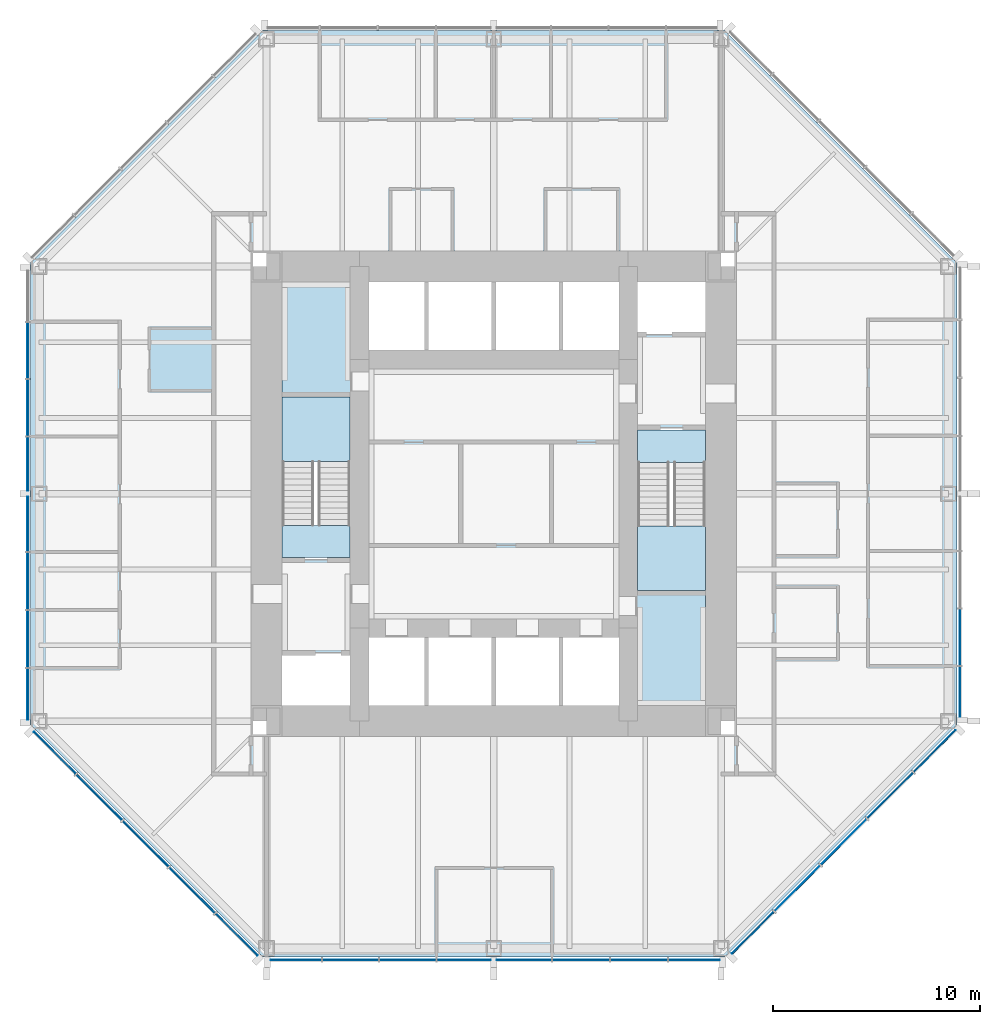
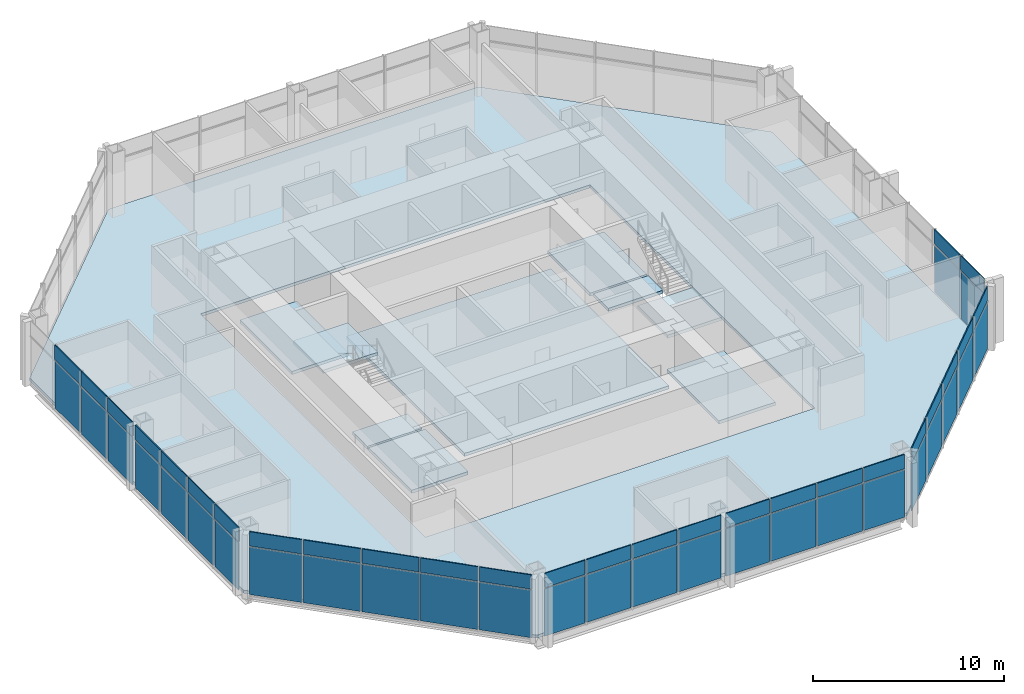
# One storey, part 7 of 12: 54 plates, 10 slabs, 7 elements without a shape of their own.
"""IFC4 building model written with IfcOpenShell, lengths in metres."""

from ifc_helpers import new_model, si_unit, direction, frame, origin, origin_2d, place, context, subcontext, project, spatial, polyline, rectangle, outline, extrude, material, layer, layer_set, type_object, element, aggregate, save


model = new_model("IFC4")

# Units and contexts
model_context = context("Model", 3, precision=1e-05, world=origin(), true_north=direction((0.0, 1.0)))
body_context = subcontext(model_context, "Body", "Model", "MODEL_VIEW")
ifc_project = project(units=[si_unit("LENGTHUNIT", "METRE"), si_unit("AREAUNIT", "SQUARE_METRE"), si_unit("VOLUMEUNIT", "CUBIC_METRE"), si_unit("PLANEANGLEUNIT", "RADIAN"), si_unit("MASSUNIT", "GRAM", prefix="KILO")], contexts=[model_context])

# Site, building, storey
site_placement = place(None, origin())
site = spatial("IfcSite", under=ifc_project, at=site_placement, CompositionType="ELEMENT")
building_placement = place(site_placement, origin())
building = spatial("IfcBuilding", under=site, at=building_placement, Name="Trevanion Tower", CompositionType="ELEMENT")
storey_placement = place(building_placement, frame((0.0, 0.0, 129.5)))
storey = spatial("IfcBuildingStorey", under=building, at=storey_placement, Name="L30", CompositionType="ELEMENT", Elevation=129.5)

# Curtain wall, plates
ifc_material_1 = material(Name="Aluminium and glass", Category="aluminium")
curtain_wall_type = type_object("IfcCurtainWallType", Name="CW2 curtain wall", PredefinedType="USERDEFINED", material=ifc_material_1)
curtain_wall_1_placement = place(storey_placement, origin())
curtain_wall_1 = element("IfcCurtainWall", 1, at=curtain_wall_1_placement, inside=storey, type_object=curtain_wall_type, Name="CW2 L30 0", ObjectType="UNITISED CURTAIN WALL", PredefinedType="USERDEFINED")
ifc_material_2 = material(Name="Aluminium spandrel panel", Category="aluminium")
ifc_layer_1 = layer(ifc_material_2, 0.06005859375)
ifc_layer_set_1 = layer_set([ifc_layer_1], Name="CW2 spandrel panel")
plate_type_1 = type_object("IfcPlateType", Name="CW2 spandrel panel", PredefinedType="CURTAIN_PANEL", material=ifc_layer_set_1)
plate_1_placement = place(storey_placement, frame((22.550048828125, -9.579345703125, 2.99755859375), z_axis=(0.0, 0.0, 1.0), x_axis=(0.0, 1.0, 0.0)))
plate_1 = element("IfcPlate", 2, at=plate_1_placement, type_object=plate_type_1, Name="CW2 panel 1.2", PredefinedType="CURTAIN_PANEL", context=body_context, shape_type="SweptSolid", body=[
    extrude(rectangle(XDim=2.43701171875, YDim=0.06005859375, at=origin_2d()), origin(), (0.0, 0.0, 1.0), 0.91259765625),
])
plate_2_placement = place(storey_placement, frame((22.550048828125, -6.93603515625, 2.99755859375), z_axis=(0.0, 0.0, 1.0), x_axis=(0.0, 1.0, 0.0)))
plate_2 = element("IfcPlate", 3, at=plate_2_placement, type_object=plate_type_1, Name="CW2 panel 2.2", PredefinedType="CURTAIN_PANEL", context=body_context, shape_type="SweptSolid", body=[
    extrude(rectangle(XDim=2.699462890625, YDim=0.06005859375, at=origin_2d()), origin(), (0.0, 0.0, 1.0), 0.91259765625),
])

curtain_wall_2_placement = place(storey_placement, origin())
curtain_wall_2 = element("IfcCurtainWall", 4, at=curtain_wall_2_placement, inside=storey, type_object=curtain_wall_type, Name="CW2 L30 4", ObjectType="UNITISED CURTAIN WALL", PredefinedType="USERDEFINED")
plate_3_placement = place(storey_placement, frame((-22.550048828125, 6.93603515625, 2.99755859375), z_axis=(0.0, 0.0, 1.0), x_axis=(0.0, -1.0, 0.0)))
plate_3 = element("IfcPlate", 5, at=plate_3_placement, type_object=plate_type_1, Name="CW2 panel 2.2", PredefinedType="CURTAIN_PANEL", context=body_context, shape_type="SweptSolid", body=[
    extrude(rectangle(XDim=2.699462890625, YDim=0.06005859375, at=origin_2d()), origin(), (0.0, 0.0, 1.0), 0.91259765625),
])
plate_4_placement = place(storey_placement, frame((-22.550048828125, 4.16162109375, 2.99755859375), z_axis=(0.0, 0.0, 1.0), x_axis=(0.0, -1.0, 0.0)))
plate_4 = element("IfcPlate", 6, at=plate_4_placement, type_object=plate_type_1, Name="CW2 panel 3.2", PredefinedType="CURTAIN_PANEL", context=body_context, shape_type="SweptSolid", body=[
    extrude(rectangle(XDim=2.699462890625, YDim=0.06005859375, at=origin_2d()), origin(), (0.0, 0.0, 1.0), 0.91259765625),
])
plate_5_placement = place(storey_placement, frame((-22.550048828125, 1.443603515625, 2.99755859375), z_axis=(0.0, 0.0, 1.0), x_axis=(0.0, -1.0, 0.0)))
plate_5 = element("IfcPlate", 7, at=plate_5_placement, type_object=plate_type_1, Name="CW2 panel 4.2", PredefinedType="CURTAIN_PANEL", context=body_context, shape_type="SweptSolid", body=[
    extrude(rectangle(XDim=2.5869140625, YDim=0.06005859375, at=origin_2d()), origin(), (0.0, 0.0, 1.0), 0.91259765625),
])
plate_6_placement = place(storey_placement, frame((-22.550048828125, -1.459716796875, 2.99755859375), z_axis=(0.0, 0.0, 1.0), x_axis=(0.0, -1.0, 0.0)))
plate_6 = element("IfcPlate", 8, at=plate_6_placement, type_object=plate_type_1, Name="CW2 panel 5.2", PredefinedType="CURTAIN_PANEL", context=body_context, shape_type="SweptSolid", body=[
    extrude(rectangle(XDim=2.619384765625, YDim=0.06005859375, at=origin_2d()), origin(), (0.0, 0.0, 1.0), 0.91259765625),
])
plate_7_placement = place(storey_placement, frame((-22.550048828125, -4.21044921875, 2.99755859375), z_axis=(0.0, 0.0, 1.0), x_axis=(0.0, -1.0, 0.0)))
plate_7 = element("IfcPlate", 9, at=plate_7_placement, type_object=plate_type_1, Name="CW2 panel 6.2", PredefinedType="CURTAIN_PANEL", context=body_context, shape_type="SweptSolid", body=[
    extrude(rectangle(XDim=2.73193359375, YDim=0.06005859375, at=origin_2d()), origin(), (0.0, 0.0, 1.0), 0.91259765625),
])
plate_8_placement = place(storey_placement, frame((-22.550048828125, -7.017333984375, 2.99755859375), z_axis=(0.0, 0.0, 1.0), x_axis=(0.0, -1.0, 0.0)))
plate_8 = element("IfcPlate", 10, at=plate_8_placement, type_object=plate_type_1, Name="CW2 panel 7.2", PredefinedType="CURTAIN_PANEL", context=body_context, shape_type="SweptSolid", body=[
    extrude(rectangle(XDim=2.73193359375, YDim=0.06005859375, at=origin_2d()), origin(), (0.0, 0.0, 1.0), 0.91259765625),
])
plate_9_placement = place(storey_placement, frame((-22.550048828125, -9.693115234375, 2.99755859375), z_axis=(0.0, 0.0, 1.0), x_axis=(0.0, -1.0, 0.0)))
plate_9 = element("IfcPlate", 11, at=plate_9_placement, type_object=plate_type_1, Name="CW2 panel 8.2", PredefinedType="CURTAIN_PANEL", context=body_context, shape_type="SweptSolid", body=[
    extrude(rectangle(XDim=2.469482421875, YDim=0.06005859375, at=origin_2d()), origin(), (0.0, 0.0, 1.0), 0.91259765625),
])

curtain_wall_3_placement = place(storey_placement, origin())
curtain_wall_3 = element("IfcCurtainWall", 12, at=curtain_wall_3_placement, inside=storey, type_object=curtain_wall_type, Name="CW2 L30 5", ObjectType="UNITISED CURTAIN WALL", PredefinedType="USERDEFINED")
plate_10_placement = place(storey_placement, frame((-21.2421875, -12.53564453125, 2.99755859375), z_axis=(0.0, 0.0, 1.0), x_axis=(0.707106781187, -0.707106781187, 0.0)))
plate_10 = element("IfcPlate", 13, at=plate_10_placement, type_object=plate_type_1, Name="CW2 panel 1.2", PredefinedType="CURTAIN_PANEL", context=body_context, shape_type="SweptSolid", body=[
    extrude(rectangle(XDim=2.8388671875, YDim=0.06005859375, at=origin_2d()), origin(), (0.0, 0.0, 1.0), 0.91259765625),
])
plate_11_placement = place(storey_placement, frame((-19.089111328125, -14.688720703125, 2.99755859375), z_axis=(0.0, 0.0, 1.0), x_axis=(0.707106781187, -0.707106781187, 0.0)))
plate_11 = element("IfcPlate", 14, at=plate_11_placement, type_object=plate_type_1, Name="CW2 panel 2.2", PredefinedType="CURTAIN_PANEL", context=body_context, shape_type="SweptSolid", body=[
    extrude(rectangle(XDim=3.101318359375, YDim=0.06005859375, at=origin_2d()), origin(), (0.0, 0.0, 1.0), 0.91259765625),
])
plate_12_placement = place(storey_placement, frame((-16.843017578125, -16.934814453125, 2.99755859375), z_axis=(0.0, 0.0, 1.0), x_axis=(0.707106781187, -0.707106781187, 0.0)))
plate_12 = element("IfcPlate", 15, at=plate_12_placement, type_object=plate_type_1, Name="CW2 panel 3.2", PredefinedType="CURTAIN_PANEL", context=body_context, shape_type="SweptSolid", body=[
    extrude(rectangle(XDim=3.101318359375, YDim=0.06005859375, at=origin_2d()), origin(), (0.0, 0.0, 1.0), 0.91259765625),
])
plate_13_placement = place(storey_placement, frame((-14.596923828125, -19.180908203125, 2.99755859375), z_axis=(0.0, 0.0, 1.0), x_axis=(0.707106781187, -0.707106781187, 0.0)))
plate_13 = element("IfcPlate", 16, at=plate_13_placement, type_object=plate_type_1, Name="CW2 panel 4.2", PredefinedType="CURTAIN_PANEL", context=body_context, shape_type="SweptSolid", body=[
    extrude(rectangle(XDim=3.101318359375, YDim=0.06005859375, at=origin_2d()), origin(), (0.0, 0.0, 1.0), 0.91259765625),
])
plate_14_placement = place(storey_placement, frame((-12.443603515625, -21.334228515625, 2.99755859375), z_axis=(0.0, 0.0, 1.0), x_axis=(0.707106781187, -0.707106781187, 0.0)))
plate_14 = element("IfcPlate", 17, at=plate_14_placement, type_object=plate_type_1, Name="CW2 panel 5.2", PredefinedType="CURTAIN_PANEL", context=body_context, shape_type="SweptSolid", body=[
    extrude(rectangle(XDim=2.8388671875, YDim=0.06005859375, at=origin_2d()), origin(), (0.0, 0.0, 1.0), 0.91259765625),
])

curtain_wall_4_placement = place(storey_placement, origin())
curtain_wall_4 = element("IfcCurtainWall", 18, at=curtain_wall_4_placement, inside=storey, type_object=curtain_wall_type, Name="CW2 L30 6", ObjectType="UNITISED CURTAIN WALL", PredefinedType="USERDEFINED")
plate_15_placement = place(storey_placement, frame((-9.579345703125, -22.550048828125, 2.99755859375), z_axis=(0.0, 0.0, 1.0), x_axis=(1.0, 0.0, 0.0)))
plate_15 = element("IfcPlate", 19, at=plate_15_placement, type_object=plate_type_1, Name="CW2 panel 1.2", PredefinedType="CURTAIN_PANEL", context=body_context, shape_type="SweptSolid", body=[
    extrude(rectangle(XDim=2.43701171875, YDim=0.06005859375, at=origin_2d()), origin(), (0.0, 0.0, 1.0), 0.91259765625),
])
plate_16_placement = place(storey_placement, frame((-6.93603515625, -22.550048828125, 2.99755859375), z_axis=(0.0, 0.0, 1.0), x_axis=(1.0, 0.0, 0.0)))
plate_16 = element("IfcPlate", 20, at=plate_16_placement, type_object=plate_type_1, Name="CW2 panel 2.2", PredefinedType="CURTAIN_PANEL", context=body_context, shape_type="SweptSolid", body=[
    extrude(rectangle(XDim=2.699462890625, YDim=0.06005859375, at=origin_2d()), origin(), (0.0, 0.0, 1.0), 0.91259765625),
])
plate_17_placement = place(storey_placement, frame((-4.16162109375, -22.550048828125, 2.99755859375), z_axis=(0.0, 0.0, 1.0), x_axis=(1.0, 0.0, 0.0)))
plate_17 = element("IfcPlate", 21, at=plate_17_placement, type_object=plate_type_1, Name="CW2 panel 3.2", PredefinedType="CURTAIN_PANEL", context=body_context, shape_type="SweptSolid", body=[
    extrude(rectangle(XDim=2.699462890625, YDim=0.06005859375, at=origin_2d()), origin(), (0.0, 0.0, 1.0), 0.91259765625),
])
plate_18_placement = place(storey_placement, frame((-1.443603515625, -22.550048828125, 2.99755859375), z_axis=(0.0, 0.0, 1.0), x_axis=(1.0, 0.0, 0.0)))
plate_18 = element("IfcPlate", 22, at=plate_18_placement, type_object=plate_type_1, Name="CW2 panel 4.2", PredefinedType="CURTAIN_PANEL", context=body_context, shape_type="SweptSolid", body=[
    extrude(rectangle(XDim=2.5869140625, YDim=0.06005859375, at=origin_2d()), origin(), (0.0, 0.0, 1.0), 0.91259765625),
])
plate_19_placement = place(storey_placement, frame((1.459716796875, -22.550048828125, 2.99755859375), z_axis=(0.0, 0.0, 1.0), x_axis=(1.0, 0.0, 0.0)))
plate_19 = element("IfcPlate", 23, at=plate_19_placement, type_object=plate_type_1, Name="CW2 panel 5.2", PredefinedType="CURTAIN_PANEL", context=body_context, shape_type="SweptSolid", body=[
    extrude(rectangle(XDim=2.619384765625, YDim=0.06005859375, at=origin_2d()), origin(), (0.0, 0.0, 1.0), 0.91259765625),
])
plate_20_placement = place(storey_placement, frame((4.21044921875, -22.550048828125, 2.99755859375), z_axis=(0.0, 0.0, 1.0), x_axis=(1.0, 0.0, 0.0)))
plate_20 = element("IfcPlate", 24, at=plate_20_placement, type_object=plate_type_1, Name="CW2 panel 6.2", PredefinedType="CURTAIN_PANEL", context=body_context, shape_type="SweptSolid", body=[
    extrude(rectangle(XDim=2.73193359375, YDim=0.06005859375, at=origin_2d()), origin(), (0.0, 0.0, 1.0), 0.91259765625),
])
plate_21_placement = place(storey_placement, frame((7.017333984375, -22.550048828125, 2.99755859375), z_axis=(0.0, 0.0, 1.0), x_axis=(1.0, 0.0, 0.0)))
plate_21 = element("IfcPlate", 25, at=plate_21_placement, type_object=plate_type_1, Name="CW2 panel 7.2", PredefinedType="CURTAIN_PANEL", context=body_context, shape_type="SweptSolid", body=[
    extrude(rectangle(XDim=2.73193359375, YDim=0.06005859375, at=origin_2d()), origin(), (0.0, 0.0, 1.0), 0.91259765625),
])
plate_22_placement = place(storey_placement, frame((9.693115234375, -22.550048828125, 2.99755859375), z_axis=(0.0, 0.0, 1.0), x_axis=(1.0, 0.0, 0.0)))
plate_22 = element("IfcPlate", 26, at=plate_22_placement, type_object=plate_type_1, Name="CW2 panel 8.2", PredefinedType="CURTAIN_PANEL", context=body_context, shape_type="SweptSolid", body=[
    extrude(rectangle(XDim=2.469482421875, YDim=0.06005859375, at=origin_2d()), origin(), (0.0, 0.0, 1.0), 0.91259765625),
])

curtain_wall_5_placement = place(storey_placement, origin())
curtain_wall_5 = element("IfcCurtainWall", 27, at=curtain_wall_5_placement, inside=storey, type_object=curtain_wall_type, Name="CW2 L30 7", ObjectType="UNITISED CURTAIN WALL", PredefinedType="USERDEFINED")
plate_23_placement = place(storey_placement, frame((12.53564453125, -21.2421875, 2.99755859375), z_axis=(0.0, 0.0, 1.0), x_axis=(0.707106781187, 0.707106781187, 0.0)))
plate_23 = element("IfcPlate", 28, at=plate_23_placement, type_object=plate_type_1, Name="CW2 panel 1.2", PredefinedType="CURTAIN_PANEL", context=body_context, shape_type="SweptSolid", body=[
    extrude(rectangle(XDim=2.8388671875, YDim=0.06005859375, at=origin_2d()), origin(), (0.0, 0.0, 1.0), 0.91259765625),
])
plate_24_placement = place(storey_placement, frame((14.688720703125, -19.089111328125, 2.99755859375), z_axis=(0.0, 0.0, 1.0), x_axis=(0.707106781187, 0.707106781187, 0.0)))
plate_24 = element("IfcPlate", 29, at=plate_24_placement, type_object=plate_type_1, Name="CW2 panel 2.2", PredefinedType="CURTAIN_PANEL", context=body_context, shape_type="SweptSolid", body=[
    extrude(rectangle(XDim=3.101318359375, YDim=0.06005859375, at=origin_2d()), origin(), (0.0, 0.0, 1.0), 0.91259765625),
])
plate_25_placement = place(storey_placement, frame((16.934814453125, -16.843017578125, 2.99755859375), z_axis=(0.0, 0.0, 1.0), x_axis=(0.707106781187, 0.707106781187, 0.0)))
plate_25 = element("IfcPlate", 30, at=plate_25_placement, type_object=plate_type_1, Name="CW2 panel 3.2", PredefinedType="CURTAIN_PANEL", context=body_context, shape_type="SweptSolid", body=[
    extrude(rectangle(XDim=3.101318359375, YDim=0.06005859375, at=origin_2d()), origin(), (0.0, 0.0, 1.0), 0.91259765625),
])
plate_26_placement = place(storey_placement, frame((19.180908203125, -14.596923828125, 2.99755859375), z_axis=(0.0, 0.0, 1.0), x_axis=(0.707106781187, 0.707106781187, 0.0)))
plate_26 = element("IfcPlate", 31, at=plate_26_placement, type_object=plate_type_1, Name="CW2 panel 4.2", PredefinedType="CURTAIN_PANEL", context=body_context, shape_type="SweptSolid", body=[
    extrude(rectangle(XDim=3.101318359375, YDim=0.06005859375, at=origin_2d()), origin(), (0.0, 0.0, 1.0), 0.91259765625),
])
plate_27_placement = place(storey_placement, frame((21.334228515625, -12.443603515625, 2.99755859375), z_axis=(0.0, 0.0, 1.0), x_axis=(0.707106781187, 0.707106781187, 0.0)))
plate_27 = element("IfcPlate", 32, at=plate_27_placement, type_object=plate_type_1, Name="CW2 panel 5.2", PredefinedType="CURTAIN_PANEL", context=body_context, shape_type="SweptSolid", body=[
    extrude(rectangle(XDim=2.8388671875, YDim=0.06005859375, at=origin_2d()), origin(), (0.0, 0.0, 1.0), 0.91259765625),
])

# Plate
ifc_material_3 = material(Name="Insulating glass unit", Category="glass")
ifc_layer_2 = layer(ifc_material_3, 0.028076171875)
ifc_layer_set_2 = layer_set([ifc_layer_2], Name="CW2 vision panel")
plate_type_2 = type_object("IfcPlateType", Name="CW2 vision panel", PredefinedType="CURTAIN_PANEL", material=ifc_layer_set_2)
plate_28_placement = place(storey_placement, frame((22.550048828125, -9.579345703125, -0.114990234375), z_axis=(0.0, 0.0, 1.0), x_axis=(0.0, 1.0, 0.0)))
plate_28 = element("IfcPlate", 33, at=plate_28_placement, type_object=plate_type_2, Name="CW2 panel 1.1", PredefinedType="CURTAIN_PANEL", context=body_context, shape_type="SweptSolid", body=[
    extrude(rectangle(XDim=2.43701171875, YDim=0.028076171875, at=origin_2d()), origin(), (0.0, 0.0, 1.0), 3.03759765625),
])

plate_29_placement = place(storey_placement, frame((22.550048828125, -6.93603515625, -0.114990234375), z_axis=(0.0, 0.0, 1.0), x_axis=(0.0, 1.0, 0.0)))
plate_29 = element("IfcPlate", 34, at=plate_29_placement, type_object=plate_type_2, Name="CW2 panel 2.1", PredefinedType="CURTAIN_PANEL", context=body_context, shape_type="SweptSolid", body=[
    extrude(rectangle(XDim=2.699462890625, YDim=0.028076171875, at=origin_2d()), origin(), (0.0, 0.0, 1.0), 3.03759765625),
])

aggregate(curtain_wall_1, [plate_28, plate_1, plate_29, plate_2])

plate_30_placement = place(storey_placement, frame((-22.550048828125, 6.93603515625, -0.114990234375), z_axis=(0.0, 0.0, 1.0), x_axis=(0.0, -1.0, 0.0)))
plate_30 = element("IfcPlate", 35, at=plate_30_placement, type_object=plate_type_2, Name="CW2 panel 2.1", PredefinedType="CURTAIN_PANEL", context=body_context, shape_type="SweptSolid", body=[
    extrude(rectangle(XDim=2.699462890625, YDim=0.028076171875, at=origin_2d()), origin(), (0.0, 0.0, 1.0), 3.03759765625),
])

plate_31_placement = place(storey_placement, frame((-22.550048828125, 4.16162109375, -0.114990234375), z_axis=(0.0, 0.0, 1.0), x_axis=(0.0, -1.0, 0.0)))
plate_31 = element("IfcPlate", 36, at=plate_31_placement, type_object=plate_type_2, Name="CW2 panel 3.1", PredefinedType="CURTAIN_PANEL", context=body_context, shape_type="SweptSolid", body=[
    extrude(rectangle(XDim=2.699462890625, YDim=0.028076171875, at=origin_2d()), origin(), (0.0, 0.0, 1.0), 3.03759765625),
])

plate_32_placement = place(storey_placement, frame((-22.550048828125, 1.443603515625, -0.114990234375), z_axis=(0.0, 0.0, 1.0), x_axis=(0.0, -1.0, 0.0)))
plate_32 = element("IfcPlate", 37, at=plate_32_placement, type_object=plate_type_2, Name="CW2 panel 4.1", PredefinedType="CURTAIN_PANEL", context=body_context, shape_type="SweptSolid", body=[
    extrude(rectangle(XDim=2.5869140625, YDim=0.028076171875, at=origin_2d()), origin(), (0.0, 0.0, 1.0), 3.03759765625),
])

plate_33_placement = place(storey_placement, frame((-22.550048828125, -1.459716796875, -0.114990234375), z_axis=(0.0, 0.0, 1.0), x_axis=(0.0, -1.0, 0.0)))
plate_33 = element("IfcPlate", 38, at=plate_33_placement, type_object=plate_type_2, Name="CW2 panel 5.1", PredefinedType="CURTAIN_PANEL", context=body_context, shape_type="SweptSolid", body=[
    extrude(rectangle(XDim=2.619384765625, YDim=0.028076171875, at=origin_2d()), origin(), (0.0, 0.0, 1.0), 3.03759765625),
])

plate_34_placement = place(storey_placement, frame((-22.550048828125, -4.21044921875, -0.114990234375), z_axis=(0.0, 0.0, 1.0), x_axis=(0.0, -1.0, 0.0)))
plate_34 = element("IfcPlate", 39, at=plate_34_placement, type_object=plate_type_2, Name="CW2 panel 6.1", PredefinedType="CURTAIN_PANEL", context=body_context, shape_type="SweptSolid", body=[
    extrude(rectangle(XDim=2.73193359375, YDim=0.028076171875, at=origin_2d()), origin(), (0.0, 0.0, 1.0), 3.03759765625),
])

plate_35_placement = place(storey_placement, frame((-22.550048828125, -7.017333984375, -0.114990234375), z_axis=(0.0, 0.0, 1.0), x_axis=(0.0, -1.0, 0.0)))
plate_35 = element("IfcPlate", 40, at=plate_35_placement, type_object=plate_type_2, Name="CW2 panel 7.1", PredefinedType="CURTAIN_PANEL", context=body_context, shape_type="SweptSolid", body=[
    extrude(rectangle(XDim=2.73193359375, YDim=0.028076171875, at=origin_2d()), origin(), (0.0, 0.0, 1.0), 3.03759765625),
])

plate_36_placement = place(storey_placement, frame((-22.550048828125, -9.693115234375, -0.114990234375), z_axis=(0.0, 0.0, 1.0), x_axis=(0.0, -1.0, 0.0)))
plate_36 = element("IfcPlate", 41, at=plate_36_placement, type_object=plate_type_2, Name="CW2 panel 8.1", PredefinedType="CURTAIN_PANEL", context=body_context, shape_type="SweptSolid", body=[
    extrude(rectangle(XDim=2.469482421875, YDim=0.028076171875, at=origin_2d()), origin(), (0.0, 0.0, 1.0), 3.03759765625),
])

aggregate(curtain_wall_2, [plate_30, plate_3, plate_31, plate_4, plate_32, plate_5, plate_33, plate_6, plate_34, plate_7, plate_35, plate_8, plate_36, plate_9])

plate_37_placement = place(storey_placement, frame((-21.2421875, -12.53564453125, -0.114990234375), z_axis=(0.0, 0.0, 1.0), x_axis=(0.707106781187, -0.707106781187, 0.0)))
plate_37 = element("IfcPlate", 42, at=plate_37_placement, type_object=plate_type_2, Name="CW2 panel 1.1", PredefinedType="CURTAIN_PANEL", context=body_context, shape_type="SweptSolid", body=[
    extrude(rectangle(XDim=2.8388671875, YDim=0.028076171875, at=origin_2d()), origin(), (0.0, 0.0, 1.0), 3.03759765625),
])

plate_38_placement = place(storey_placement, frame((-19.089111328125, -14.688720703125, -0.114990234375), z_axis=(0.0, 0.0, 1.0), x_axis=(0.707106781187, -0.707106781187, 0.0)))
plate_38 = element("IfcPlate", 43, at=plate_38_placement, type_object=plate_type_2, Name="CW2 panel 2.1", PredefinedType="CURTAIN_PANEL", context=body_context, shape_type="SweptSolid", body=[
    extrude(rectangle(XDim=3.101318359375, YDim=0.028076171875, at=origin_2d()), origin(), (0.0, 0.0, 1.0), 3.03759765625),
])

plate_39_placement = place(storey_placement, frame((-16.843017578125, -16.934814453125, -0.114990234375), z_axis=(0.0, 0.0, 1.0), x_axis=(0.707106781187, -0.707106781187, 0.0)))
plate_39 = element("IfcPlate", 44, at=plate_39_placement, type_object=plate_type_2, Name="CW2 panel 3.1", PredefinedType="CURTAIN_PANEL", context=body_context, shape_type="SweptSolid", body=[
    extrude(rectangle(XDim=3.101318359375, YDim=0.028076171875, at=origin_2d()), origin(), (0.0, 0.0, 1.0), 3.03759765625),
])

plate_40_placement = place(storey_placement, frame((-14.596923828125, -19.180908203125, -0.114990234375), z_axis=(0.0, 0.0, 1.0), x_axis=(0.707106781187, -0.707106781187, 0.0)))
plate_40 = element("IfcPlate", 45, at=plate_40_placement, type_object=plate_type_2, Name="CW2 panel 4.1", PredefinedType="CURTAIN_PANEL", context=body_context, shape_type="SweptSolid", body=[
    extrude(rectangle(XDim=3.101318359375, YDim=0.028076171875, at=origin_2d()), origin(), (0.0, 0.0, 1.0), 3.03759765625),
])

plate_41_placement = place(storey_placement, frame((-12.443603515625, -21.334228515625, -0.114990234375), z_axis=(0.0, 0.0, 1.0), x_axis=(0.707106781187, -0.707106781187, 0.0)))
plate_41 = element("IfcPlate", 46, at=plate_41_placement, type_object=plate_type_2, Name="CW2 panel 5.1", PredefinedType="CURTAIN_PANEL", context=body_context, shape_type="SweptSolid", body=[
    extrude(rectangle(XDim=2.8388671875, YDim=0.028076171875, at=origin_2d()), origin(), (0.0, 0.0, 1.0), 3.03759765625),
])

aggregate(curtain_wall_3, [plate_37, plate_10, plate_38, plate_11, plate_39, plate_12, plate_40, plate_13, plate_41, plate_14])

plate_42_placement = place(storey_placement, frame((-9.579345703125, -22.550048828125, -0.114990234375), z_axis=(0.0, 0.0, 1.0), x_axis=(1.0, 0.0, 0.0)))
plate_42 = element("IfcPlate", 47, at=plate_42_placement, type_object=plate_type_2, Name="CW2 panel 1.1", PredefinedType="CURTAIN_PANEL", context=body_context, shape_type="SweptSolid", body=[
    extrude(rectangle(XDim=2.43701171875, YDim=0.028076171875, at=origin_2d()), origin(), (0.0, 0.0, 1.0), 3.03759765625),
])

plate_43_placement = place(storey_placement, frame((-6.93603515625, -22.550048828125, -0.114990234375), z_axis=(0.0, 0.0, 1.0), x_axis=(1.0, 0.0, 0.0)))
plate_43 = element("IfcPlate", 48, at=plate_43_placement, type_object=plate_type_2, Name="CW2 panel 2.1", PredefinedType="CURTAIN_PANEL", context=body_context, shape_type="SweptSolid", body=[
    extrude(rectangle(XDim=2.699462890625, YDim=0.028076171875, at=origin_2d()), origin(), (0.0, 0.0, 1.0), 3.03759765625),
])

plate_44_placement = place(storey_placement, frame((-4.16162109375, -22.550048828125, -0.114990234375), z_axis=(0.0, 0.0, 1.0), x_axis=(1.0, 0.0, 0.0)))
plate_44 = element("IfcPlate", 49, at=plate_44_placement, type_object=plate_type_2, Name="CW2 panel 3.1", PredefinedType="CURTAIN_PANEL", context=body_context, shape_type="SweptSolid", body=[
    extrude(rectangle(XDim=2.699462890625, YDim=0.028076171875, at=origin_2d()), origin(), (0.0, 0.0, 1.0), 3.03759765625),
])

plate_45_placement = place(storey_placement, frame((-1.443603515625, -22.550048828125, -0.114990234375), z_axis=(0.0, 0.0, 1.0), x_axis=(1.0, 0.0, 0.0)))
plate_45 = element("IfcPlate", 50, at=plate_45_placement, type_object=plate_type_2, Name="CW2 panel 4.1", PredefinedType="CURTAIN_PANEL", context=body_context, shape_type="SweptSolid", body=[
    extrude(rectangle(XDim=2.5869140625, YDim=0.028076171875, at=origin_2d()), origin(), (0.0, 0.0, 1.0), 3.03759765625),
])

plate_46_placement = place(storey_placement, frame((1.459716796875, -22.550048828125, -0.114990234375), z_axis=(0.0, 0.0, 1.0), x_axis=(1.0, 0.0, 0.0)))
plate_46 = element("IfcPlate", 51, at=plate_46_placement, type_object=plate_type_2, Name="CW2 panel 5.1", PredefinedType="CURTAIN_PANEL", context=body_context, shape_type="SweptSolid", body=[
    extrude(rectangle(XDim=2.619384765625, YDim=0.028076171875, at=origin_2d()), origin(), (0.0, 0.0, 1.0), 3.03759765625),
])

plate_47_placement = place(storey_placement, frame((4.21044921875, -22.550048828125, -0.114990234375), z_axis=(0.0, 0.0, 1.0), x_axis=(1.0, 0.0, 0.0)))
plate_47 = element("IfcPlate", 52, at=plate_47_placement, type_object=plate_type_2, Name="CW2 panel 6.1", PredefinedType="CURTAIN_PANEL", context=body_context, shape_type="SweptSolid", body=[
    extrude(rectangle(XDim=2.73193359375, YDim=0.028076171875, at=origin_2d()), origin(), (0.0, 0.0, 1.0), 3.03759765625),
])

plate_48_placement = place(storey_placement, frame((7.017333984375, -22.550048828125, -0.114990234375), z_axis=(0.0, 0.0, 1.0), x_axis=(1.0, 0.0, 0.0)))
plate_48 = element("IfcPlate", 53, at=plate_48_placement, type_object=plate_type_2, Name="CW2 panel 7.1", PredefinedType="CURTAIN_PANEL", context=body_context, shape_type="SweptSolid", body=[
    extrude(rectangle(XDim=2.73193359375, YDim=0.028076171875, at=origin_2d()), origin(), (0.0, 0.0, 1.0), 3.03759765625),
])

plate_49_placement = place(storey_placement, frame((9.693115234375, -22.550048828125, -0.114990234375), z_axis=(0.0, 0.0, 1.0), x_axis=(1.0, 0.0, 0.0)))
plate_49 = element("IfcPlate", 54, at=plate_49_placement, type_object=plate_type_2, Name="CW2 panel 8.1", PredefinedType="CURTAIN_PANEL", context=body_context, shape_type="SweptSolid", body=[
    extrude(rectangle(XDim=2.469482421875, YDim=0.028076171875, at=origin_2d()), origin(), (0.0, 0.0, 1.0), 3.03759765625),
])

aggregate(curtain_wall_4, [plate_42, plate_15, plate_43, plate_16, plate_44, plate_17, plate_45, plate_18, plate_46, plate_19, plate_47, plate_20, plate_48, plate_21, plate_49, plate_22])

plate_50_placement = place(storey_placement, frame((12.53564453125, -21.2421875, -0.114990234375), z_axis=(0.0, 0.0, 1.0), x_axis=(0.707106781187, 0.707106781187, 0.0)))
plate_50 = element("IfcPlate", 55, at=plate_50_placement, type_object=plate_type_2, Name="CW2 panel 1.1", PredefinedType="CURTAIN_PANEL", context=body_context, shape_type="SweptSolid", body=[
    extrude(rectangle(XDim=2.8388671875, YDim=0.028076171875, at=origin_2d()), origin(), (0.0, 0.0, 1.0), 3.03759765625),
])

plate_51_placement = place(storey_placement, frame((14.688720703125, -19.089111328125, -0.114990234375), z_axis=(0.0, 0.0, 1.0), x_axis=(0.707106781187, 0.707106781187, 0.0)))
plate_51 = element("IfcPlate", 56, at=plate_51_placement, type_object=plate_type_2, Name="CW2 panel 2.1", PredefinedType="CURTAIN_PANEL", context=body_context, shape_type="SweptSolid", body=[
    extrude(rectangle(XDim=3.101318359375, YDim=0.028076171875, at=origin_2d()), origin(), (0.0, 0.0, 1.0), 3.03759765625),
])

plate_52_placement = place(storey_placement, frame((16.934814453125, -16.843017578125, -0.114990234375), z_axis=(0.0, 0.0, 1.0), x_axis=(0.707106781187, 0.707106781187, 0.0)))
plate_52 = element("IfcPlate", 57, at=plate_52_placement, type_object=plate_type_2, Name="CW2 panel 3.1", PredefinedType="CURTAIN_PANEL", context=body_context, shape_type="SweptSolid", body=[
    extrude(rectangle(XDim=3.101318359375, YDim=0.028076171875, at=origin_2d()), origin(), (0.0, 0.0, 1.0), 3.03759765625),
])

plate_53_placement = place(storey_placement, frame((19.180908203125, -14.596923828125, -0.114990234375), z_axis=(0.0, 0.0, 1.0), x_axis=(0.707106781187, 0.707106781187, 0.0)))
plate_53 = element("IfcPlate", 58, at=plate_53_placement, type_object=plate_type_2, Name="CW2 panel 4.1", PredefinedType="CURTAIN_PANEL", context=body_context, shape_type="SweptSolid", body=[
    extrude(rectangle(XDim=3.101318359375, YDim=0.028076171875, at=origin_2d()), origin(), (0.0, 0.0, 1.0), 3.03759765625),
])

plate_54_placement = place(storey_placement, frame((21.334228515625, -12.443603515625, -0.114990234375), z_axis=(0.0, 0.0, 1.0), x_axis=(0.707106781187, 0.707106781187, 0.0)))
plate_54 = element("IfcPlate", 59, at=plate_54_placement, type_object=plate_type_2, Name="CW2 panel 5.1", PredefinedType="CURTAIN_PANEL", context=body_context, shape_type="SweptSolid", body=[
    extrude(rectangle(XDim=2.8388671875, YDim=0.028076171875, at=origin_2d()), origin(), (0.0, 0.0, 1.0), 3.03759765625),
])

aggregate(curtain_wall_5, [plate_50, plate_23, plate_51, plate_24, plate_52, plate_25, plate_53, plate_26, plate_54, plate_27])

# Slabs
ifc_material_4 = material(Name="Concrete 5,000 psi on composite metal deck", Category="concrete")
ifc_layer_3 = layer(ifc_material_4, 0.18994140625)
ifc_layer_set_3 = layer_set([ifc_layer_3], Name="SL1 composite floor 190")
slab_type_1 = type_object("IfcSlabType", Name="SL1 composite floor 190", PredefinedType="FLOOR", material=ifc_layer_set_3)
slab_1_placement = place(storey_placement, frame((0.0, 0.0, -0.18994140625)))
element("IfcSlab", 60, at=slab_1_placement, inside=storey, type_object=slab_type_1, Name="SL1 L30 floor", PredefinedType="FLOOR", context=body_context, shape_type="SweptSolid", body=[
    extrude(outline(polyline([(22.419921875, -11.174072265625), (22.419921875, 11.174072265625), (11.174072265625, 22.419921875), (-11.174072265625, 22.419921875), (-22.419921875, 11.174072265625), (-22.419921875, -11.174072265625), (-11.174072265625, -22.419921875), (11.174072265625, -22.419921875), (22.419921875, -11.174072265625)]), holes=[polyline([(11.75, -11.75), (11.75, 11.75), (-11.75, 11.75), (-11.75, -11.75), (11.75, -11.75)])]), origin(), (0.0, 0.0, 1.0), 0.18994140625),
])
ifc_material_5 = material(Name="Concrete 5,000 psi", Category="concrete")
ifc_layer_4 = layer(ifc_material_5, 0.199951171875)
ifc_layer_set_4 = layer_set([ifc_layer_4], Name="SL2 core floor 200")
slab_type_2 = type_object("IfcSlabType", Name="SL2 core floor 200", PredefinedType="FLOOR", material=ifc_layer_set_4)
slab_2_placement = place(storey_placement, frame((0.0, 0.0, -0.199951171875)))
element("IfcSlab", 61, at=slab_2_placement, inside=storey, type_object=slab_type_2, Name="SL2 L30 core floor 1", PredefinedType="FLOOR", context=body_context, shape_type="SweptSolid", body=[
    extrude(outline(polyline([(10.25, -4.804931640625), (10.25, -10.25), (6.830078125, -10.25), (6.830078125, -4.804931640625), (10.25, -4.804931640625)])), origin(), (0.0, 0.0, 1.0), 0.199951171875),
])
slab_3_placement = place(storey_placement, frame((0.0, 0.0, -0.199951171875)))
element("IfcSlab", 62, at=slab_3_placement, inside=storey, type_object=slab_type_2, Name="SL2 L30 core floor 2", PredefinedType="FLOOR", context=body_context, shape_type="SweptSolid", body=[
    extrude(outline(polyline([(-6.830078125, -3.205078125), (-6.830078125, -7.695068359375), (-10.25, -7.695068359375), (-10.25, -3.205078125), (-6.830078125, -3.205078125)])), origin(), (0.0, 0.0, 1.0), 0.199951171875),
])
slab_4_placement = place(storey_placement, frame((0.0, 0.0, -0.199951171875)))
element("IfcSlab", 63, at=slab_4_placement, inside=storey, type_object=slab_type_2, Name="SL2 L30 core floor 3", PredefinedType="FLOOR", context=body_context, shape_type="SweptSolid", body=[
    extrude(outline(polyline([(6.169921875, -6.169921875), (-6.169921875, -6.169921875), (-6.169921875, 6.169921875), (6.169921875, 6.169921875), (6.169921875, -6.169921875)])), origin(), (0.0, 0.0, 1.0), 0.199951171875),
])
slab_5_placement = place(storey_placement, frame((0.0, 0.0, -0.199951171875)))
element("IfcSlab", 64, at=slab_5_placement, inside=storey, type_object=slab_type_2, Name="SL2 L30 core floor 4", PredefinedType="FLOOR", context=body_context, shape_type="SweptSolid", body=[
    extrude(outline(polyline([(6.830078125, 3.205078125), (6.830078125, 7.695068359375), (10.25, 7.695068359375), (10.25, 3.205078125), (6.830078125, 3.205078125)])), origin(), (0.0, 0.0, 1.0), 0.199951171875),
])
slab_6_placement = place(storey_placement, frame((0.0, 0.0, -0.199951171875)))
element("IfcSlab", 65, at=slab_6_placement, inside=storey, type_object=slab_type_2, Name="SL2 L30 core floor 5", PredefinedType="FLOOR", context=body_context, shape_type="SweptSolid", body=[
    extrude(outline(polyline([(-6.830078125, 4.804931640625), (-10.25, 4.804931640625), (-10.25, 10.25), (-6.830078125, 10.25), (-6.830078125, 4.804931640625)])), origin(), (0.0, 0.0, 1.0), 0.199951171875),
])

# Stair, slabs
ifc_material_6 = material(Name="Concrete 5,000 psi on steel stringers", Category="concrete")
stair_type = type_object("IfcStairType", Name="ST stair", PredefinedType="HALF_TURN_STAIR", material=ifc_material_6)
stair_1_placement = place(storey_placement, origin())
stair_1 = element("IfcStair", 66, at=stair_1_placement, inside=storey, type_object=stair_type, Name="ST1 L30", PredefinedType="HALF_TURN_STAIR")
ifc_material_7 = material(Name="Concrete 5,000 psi in steel pan", Category="concrete")
ifc_layer_5 = layer(ifc_material_7, 0.199951171875)
ifc_layer_set_5 = layer_set([ifc_layer_5], Name="STL stair landing 200")
slab_type_3 = type_object("IfcSlabType", Name="STL stair landing 200", PredefinedType="LANDING", material=ifc_layer_set_5)
slab_7_placement = place(storey_placement, frame((0.0, 0.0, -0.199951171875)))
slab_7 = element("IfcSlab", 67, at=slab_7_placement, type_object=slab_type_3, Name="ST1 landing 1", PredefinedType="LANDING", context=body_context, shape_type="SweptSolid", body=[
    extrude(outline(polyline([(6.949951171875, 1.52490234375), (10.25, 1.52490234375), (10.25, 3.074951171875), (6.949951171875, 3.074951171875), (6.949951171875, 1.52490234375)])), origin(), (0.0, 0.0, 1.0), 0.199951171875),
])
slab_8_placement = place(storey_placement, frame((0.0, 0.0, 1.85009765625)))
slab_8 = element("IfcSlab", 68, at=slab_8_placement, type_object=slab_type_3, Name="ST1 landing 2", PredefinedType="LANDING", context=body_context, shape_type="SweptSolid", body=[
    extrude(outline(polyline([(6.949951171875, -4.675048828125), (10.25, -4.675048828125), (10.25, -1.554931640625), (6.949951171875, -1.554931640625), (6.949951171875, -4.675048828125)])), origin(), (0.0, 0.0, 1.0), 0.199951171875),
])
aggregate(stair_1, [slab_7, slab_8])

stair_2_placement = place(storey_placement, origin())
stair_2 = element("IfcStair", 69, at=stair_2_placement, inside=storey, type_object=stair_type, Name="ST2 L30", PredefinedType="HALF_TURN_STAIR")
slab_9_placement = place(storey_placement, frame((0.0, 0.0, -0.199951171875)))
slab_9 = element("IfcSlab", 70, at=slab_9_placement, type_object=slab_type_3, Name="ST2 landing 1", PredefinedType="LANDING", context=body_context, shape_type="SweptSolid", body=[
    extrude(outline(polyline([(-6.949951171875, -1.52490234375), (-10.25, -1.52490234375), (-10.25, -3.074951171875), (-6.949951171875, -3.074951171875), (-6.949951171875, -1.52490234375)])), origin(), (0.0, 0.0, 1.0), 0.199951171875),
])
slab_10_placement = place(storey_placement, frame((0.0, 0.0, 1.85009765625)))
slab_10 = element("IfcSlab", 71, at=slab_10_placement, type_object=slab_type_3, Name="ST2 landing 2", PredefinedType="LANDING", context=body_context, shape_type="SweptSolid", body=[
    extrude(outline(polyline([(-6.949951171875, 4.675048828125), (-10.25, 4.675048828125), (-10.25, 1.554931640625), (-6.949951171875, 1.554931640625), (-6.949951171875, 4.675048828125)])), origin(), (0.0, 0.0, 1.0), 0.199951171875),
])
aggregate(stair_2, [slab_9, slab_10])

save(model, "model.ifc")
